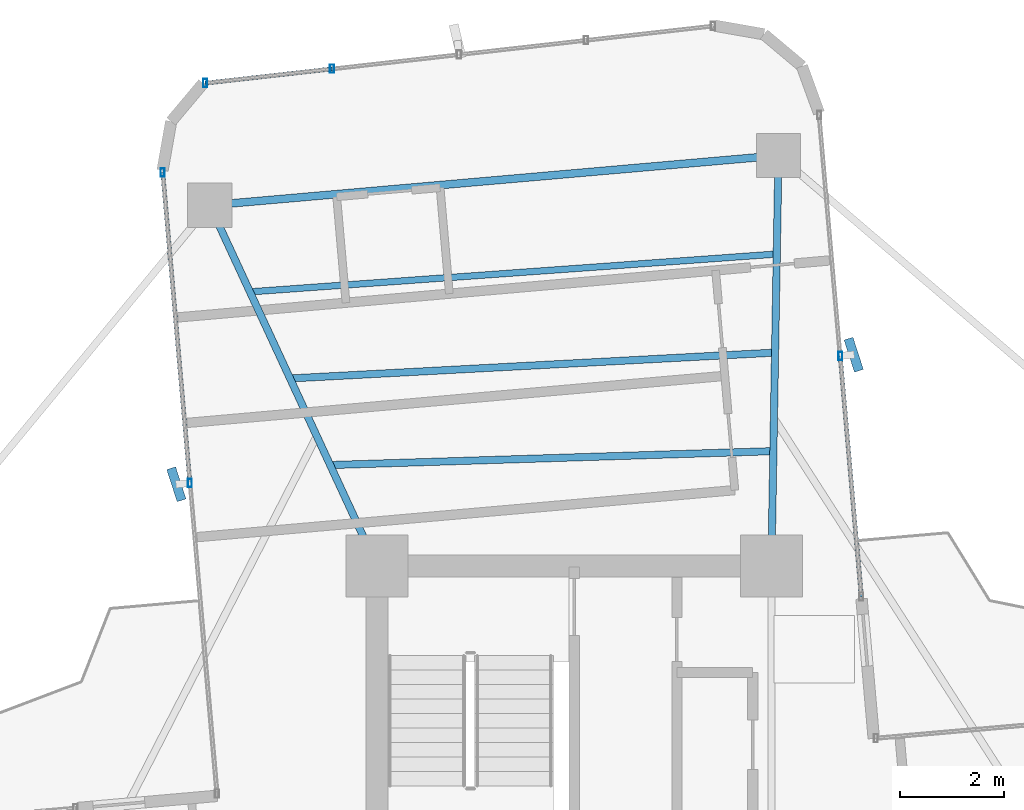
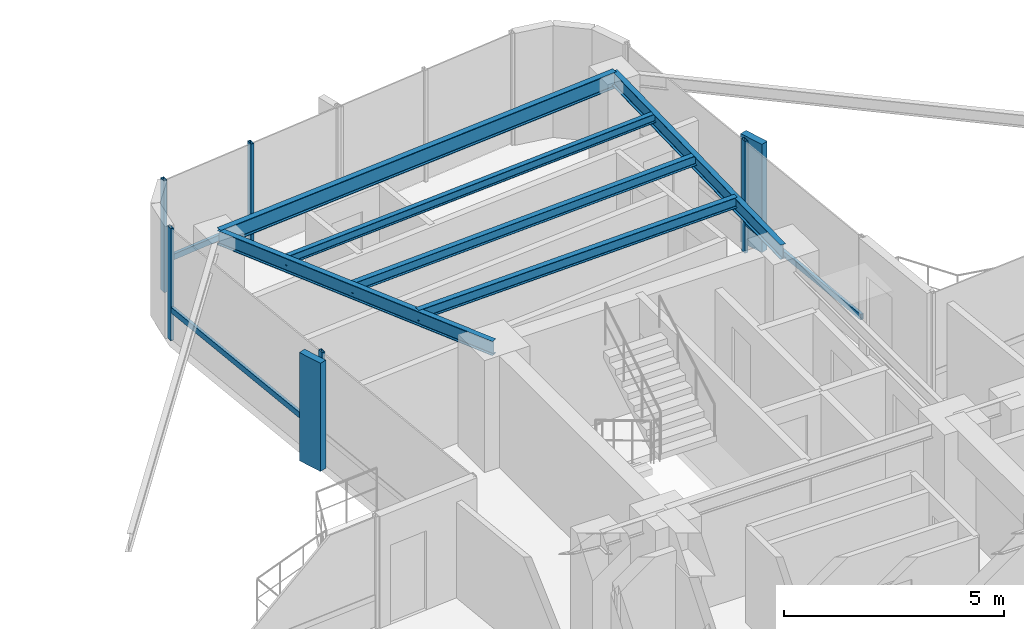
# One storey, part 16 of 24: 10 members, 6 beams, 3 elements without a shape of their own.
"""IFC4 building model written with IfcOpenShell, lengths in metres."""

from ifc_helpers import new_model, si_unit, direction, frame, origin, origin_2d, place, context, subcontext, project, spatial, rectangle, hollow_rectangle, i_section, extrude, source, transform, mapped, material, material_profile, profile_set, type_object, element, aggregate, save


model = new_model("IFC4")

# Units and contexts
model_context = context("Model", 3, precision=1e-05, world=origin(), true_north=direction((0.0, 1.0)))
body_context = subcontext(model_context, "Body", "Model", "MODEL_VIEW")
ifc_project = project(units=[si_unit("LENGTHUNIT", "METRE"), si_unit("AREAUNIT", "SQUARE_METRE"), si_unit("VOLUMEUNIT", "CUBIC_METRE"), si_unit("PLANEANGLEUNIT", "RADIAN"), si_unit("MASSUNIT", "GRAM", prefix="KILO")], contexts=[model_context])

# Site, building, storey
site_placement = place(None, origin())
site = spatial("IfcSite", under=ifc_project, at=site_placement, CompositionType="ELEMENT")
building_placement = place(site_placement, origin())
building = spatial("IfcBuilding", under=site, at=building_placement, Name="Sahyath Konkavel Grand Hotel", CompositionType="ELEMENT")
storey_placement = place(building_placement, frame((0.0, 0.0, 188.60009765625)))
storey = spatial("IfcBuildingStorey", under=building, at=storey_placement, Name="L52", CompositionType="ELEMENT", Elevation=188.60009765625)

# Beams
ifc_material_1 = material(Name="Steel E350", Category="steel")
ifc_material_profile_1 = material_profile(ifc_material_1, i_section(OverallWidth=0.139892578125, OverallDepth=0.39990234375, WebThickness=0.0087890625, FlangeThickness=0.01611328125, FilletRadius=0.013916015625, at=origin_2d()), Name="ISMB 400")
ifc_profile_set_1 = profile_set([ifc_material_profile_1], Name="Steel E350")
beam_type_1 = type_object("IfcBeamType", Name="BM-ISMB400", PredefinedType="BEAM", material=ifc_profile_set_1)
shared_shape_1 = source(origin(), body_context, "Body", "SweptSolid", [
    extrude(i_section(OverallWidth=0.139892578125, OverallDepth=0.39990234375, WebThickness=0.0087890625, FlangeThickness=0.01611328125, FilletRadius=0.013916015625, at=origin_2d()), origin(), (0.0, 0.0, 1.0), 7.913330078125),
])
beam_1_placement = place(storey_placement, frame((3.800048828125, 10.199951171875, 2.909912109375), z_axis=(0.017215419232, 0.999851803689, 0.0), x_axis=(-0.999851803689, 0.017215419232, 0.0)))
element("IfcBeam", 1, at=beam_1_placement, inside=storey, type_object=beam_type_1, Name="L52 Cruciform Radial Girder NA", PredefinedType="BEAM", context=body_context, shape_type="MappedRepresentation", body=[
    mapped(shared_shape_1, transform((0.0, 0.0, 0.0), scale=1.0)),
])
shared_shape_2 = source(origin(), body_context, "Body", "SweptSolid", [
    extrude(i_section(OverallWidth=0.139892578125, OverallDepth=0.39990234375, WebThickness=0.0087890625, FlangeThickness=0.01611328125, FilletRadius=0.013916015625, at=origin_2d()), origin(), (0.0, 0.0, 1.0), 7.66357421875),
])
beam_2_placement = place(storey_placement, frame((-3.800048828125, 10.199951171875, 2.909912109375), z_axis=(-0.420395127561, 0.907341135804, 0.0), x_axis=(-0.907341135804, -0.420395127561, 0.0)))
element("IfcBeam", 2, at=beam_2_placement, inside=storey, type_object=beam_type_1, Name="L52 Cruciform Radial Girder NB", PredefinedType="BEAM", context=body_context, shape_type="MappedRepresentation", body=[
    mapped(shared_shape_2, transform((0.0, 0.0, 0.0), scale=1.0)),
])
ifc_material_profile_2 = material_profile(ifc_material_1, i_section(OverallWidth=0.14990234375, OverallDepth=0.449951171875, WebThickness=0.009521484375, FlangeThickness=0.017333984375, FilletRadius=0.014892578125, at=origin_2d()), Name="ISMB 450")
ifc_profile_set_2 = profile_set([ifc_material_profile_2], Name="Steel E350")
beam_type_2 = type_object("IfcBeamType", Name="BM-ISMB450", PredefinedType="BEAM", material=ifc_profile_set_2)
shared_shape_3 = source(origin(), body_context, "Body", "SweptSolid", [
    extrude(i_section(OverallWidth=0.14990234375, OverallDepth=0.449951171875, WebThickness=0.009521484375, FlangeThickness=0.017333984375, FilletRadius=0.014892578125, at=origin_2d()), origin(), (0.0, 0.0, 1.0), 10.999755859375),
])
beam_3_placement = place(storey_placement, frame((3.936279296875, 18.112060546875, 2.885009765625), z_axis=(-0.99619439202, -0.087159241098, 0.0), x_axis=(0.087159241098, -0.99619439202, 0.0)))
element("IfcBeam", 3, at=beam_3_placement, inside=storey, type_object=beam_type_2, Name="L52 Wing Tip Edge Beam N", PredefinedType="BEAM", context=body_context, shape_type="MappedRepresentation", body=[
    mapped(shared_shape_3, transform((0.0, 0.0, 0.0), scale=1.0)),
])
ifc_material_profile_3 = material_profile(ifc_material_1, i_section(OverallWidth=0.139892578125, OverallDepth=0.300048828125, WebThickness=0.0078125, FlangeThickness=0.01318359375, FilletRadius=0.013916015625, at=origin_2d()), Name="ISMB 300")
ifc_profile_set_3 = profile_set([ifc_material_profile_3], Name="Steel E350")
beam_type_3 = type_object("IfcBeamType", Name="BM-ISMB300", PredefinedType="BEAM", material=ifc_profile_set_3)
shared_shape_4 = source(origin(), body_context, "Body", "SweptSolid", [
    extrude(i_section(OverallWidth=0.139892578125, OverallDepth=0.300048828125, WebThickness=0.0078125, FlangeThickness=0.01318359375, FilletRadius=0.013916015625, at=origin_2d()), origin(), (0.0, 0.0, 1.0), 8.54443359375),
])
beam_4_placement = place(storey_placement, frame((3.838134765625, 12.415283203125, 2.9599609375), z_axis=(-0.999506849365, -0.031401561632, 0.0), x_axis=(0.031401561632, -0.999506849365, 0.0)))
element("IfcBeam", 4, at=beam_4_placement, inside=storey, type_object=beam_type_3, Name="L52 Secondary Floor Beam N-1", PredefinedType="BEAM", context=body_context, shape_type="MappedRepresentation", body=[
    mapped(shared_shape_4, transform((0.0, 0.0, 0.0), scale=1.0)),
])
ifc_material_profile_4 = material_profile(ifc_material_1, i_section(OverallWidth=0.139892578125, OverallDepth=0.27490234375, WebThickness=0.00634765625, FlangeThickness=0.0087890625, FilletRadius=0.012939453125, at=origin_2d()), Name="ISLB 275")
ifc_profile_set_4 = profile_set([ifc_material_profile_4], Name="Steel E350")
beam_type_4 = type_object("IfcBeamType", Name="BM-ISLB275", PredefinedType="BEAM", material=ifc_profile_set_4)
shared_shape_5 = source(origin(), body_context, "Body", "SweptSolid", [
    extrude(i_section(OverallWidth=0.139892578125, OverallDepth=0.27490234375, WebThickness=0.00634765625, FlangeThickness=0.0087890625, FilletRadius=0.012939453125, at=origin_2d()), origin(), (0.0, 0.0, 1.0), 9.359375),
])
beam_5_placement = place(storey_placement, frame((3.870849609375, 14.314208984375, 2.972412109375), z_axis=(-0.998580397723, -0.053265272769, 0.0), x_axis=(0.053265272769, -0.998580397723, 0.0)))
element("IfcBeam", 5, at=beam_5_placement, inside=storey, type_object=beam_type_4, Name="L52 Secondary Floor Beam N-2", PredefinedType="BEAM", context=body_context, shape_type="MappedRepresentation", body=[
    mapped(shared_shape_5, transform((0.0, 0.0, 0.0), scale=1.0)),
])
ifc_material_profile_5 = material_profile(ifc_material_1, i_section(OverallWidth=0.125, OverallDepth=0.25, WebThickness=0.0068359375, FlangeThickness=0.012451171875, FilletRadius=0.012939453125, at=origin_2d()), Name="ISMB 250")
ifc_profile_set_5 = profile_set([ifc_material_profile_5], Name="Steel E350")
beam_type_5 = type_object("IfcBeamType", Name="BM-ISMB250", PredefinedType="BEAM", material=ifc_profile_set_5)
shared_shape_6 = source(origin(), body_context, "Body", "SweptSolid", [
    extrude(i_section(OverallWidth=0.125, OverallDepth=0.25, WebThickness=0.0068359375, FlangeThickness=0.012451171875, FilletRadius=0.012939453125, at=origin_2d()), origin(), (0.0, 0.0, 1.0), 10.178466796875),
])
beam_6_placement = place(storey_placement, frame((3.90380859375, 16.213134765625, 2.98486328125), z_axis=(-0.997435268886, -0.071574327683, 0.0), x_axis=(0.071574327683, -0.997435268886, 0.0)))
element("IfcBeam", 6, at=beam_6_placement, inside=storey, type_object=beam_type_5, Name="L52 Secondary Floor Beam N-3", PredefinedType="BEAM", context=body_context, shape_type="MappedRepresentation", body=[
    mapped(shared_shape_6, transform((0.0, 0.0, 0.0), scale=1.0)),
])

# Curtain wall, member
ifc_material_2 = material(Name="Anodised Bronze Aluminium & Low-E Glazing", Category="aluminium")
curtain_wall_type = type_object("IfcCurtainWallType", Name="CW-ZONE3", PredefinedType="NOTDEFINED", material=ifc_material_2)
curtain_wall_1_placement = place(storey_placement, origin())
curtain_wall_1 = element("IfcCurtainWall", 7, at=curtain_wall_1_placement, inside=storey, type_object=curtain_wall_type, Name="L52 Unitised Curtain Wall F8", PredefinedType="NOTDEFINED")
ifc_material_3 = material(Name="Anodised Bronze Aluminium", Category="aluminium")
ifc_material_profile_6 = material_profile(ifc_material_3, hollow_rectangle(XDim=0.080078125, YDim=0.159912109375, WallThickness=0.006103515625, at=origin_2d()), Name="RHS 160x80x6")
ifc_profile_set_6 = profile_set([ifc_material_profile_6], Name="Anodised Bronze Aluminium")
member_type_1 = type_object("IfcMemberType", Name="CW-MUL-160", PredefinedType="MULLION", material=ifc_profile_set_6)
shared_shape_7 = source(origin(), body_context, "Body", "SweptSolid", [
    extrude(hollow_rectangle(XDim=0.080078125, YDim=0.159912109375, WallThickness=0.006103515625, at=origin_2d()), origin(), (0.0, 0.0, 1.0), 3.10986328125),
])
member_1_placement = place(storey_placement, frame((5.12744140625, 14.251220703125, 0.0), z_axis=(0.0, 0.0, 1.0), x_axis=(1.0, 0.0, 0.0)))
member_1 = element("IfcMember", 8, at=member_1_placement, type_object=member_type_1, Name="L52 Curtain Wall Mullion F8-1", PredefinedType="MULLION", context=body_context, shape_type="MappedRepresentation", body=[
    mapped(shared_shape_7, transform((0.0, 0.0, 0.0), scale=1.0)),
])

# Curtain wall, members
curtain_wall_2_placement = place(storey_placement, origin())
curtain_wall_2 = element("IfcCurtainWall", 9, at=curtain_wall_2_placement, inside=storey, type_object=curtain_wall_type, Name="L52 Unitised Curtain Wall F12", PredefinedType="NOTDEFINED")
member_2_placement = place(storey_placement, frame((-4.665771484375, 19.783203125, 0.0), z_axis=(0.0, 0.0, 1.0), x_axis=(1.0, 0.0, 0.0)))
member_2 = element("IfcMember", 10, at=member_2_placement, type_object=member_type_1, Name="L52 Curtain Wall Mullion F12-3", PredefinedType="MULLION", context=body_context, shape_type="MappedRepresentation", body=[
    mapped(shared_shape_7, transform((0.0, 0.0, 0.0), scale=1.0)),
])
member_3_placement = place(storey_placement, frame((-7.1123046875, 19.507568359375, 0.0), z_axis=(0.0, 0.0, 1.0), x_axis=(1.0, 0.0, 0.0)))
member_3 = element("IfcMember", 11, at=member_3_placement, type_object=member_type_1, Name="L52 Curtain Wall Mullion F12-4", PredefinedType="MULLION", context=body_context, shape_type="MappedRepresentation", body=[
    mapped(shared_shape_7, transform((0.0, 0.0, 0.0), scale=1.0)),
])

curtain_wall_3_placement = place(storey_placement, origin())
curtain_wall_3 = element("IfcCurtainWall", 12, at=curtain_wall_3_placement, inside=storey, type_object=curtain_wall_type, Name="L52 Unitised Curtain Wall F15", PredefinedType="NOTDEFINED")
member_4_placement = place(storey_placement, frame((-7.930419921875, 17.78662109375, 0.0), z_axis=(0.0, 0.0, 1.0), x_axis=(1.0, 0.0, 0.0)))
member_4 = element("IfcMember", 13, at=member_4_placement, type_object=member_type_1, Name="L52 Curtain Wall Mullion F15-0", PredefinedType="MULLION", context=body_context, shape_type="MappedRepresentation", body=[
    mapped(shared_shape_7, transform((0.0, 0.0, 0.0), scale=1.0)),
])
member_5_placement = place(storey_placement, frame((-7.406494140625, 11.79931640625, 0.0), z_axis=(0.0, 0.0, 1.0), x_axis=(1.0, 0.0, 0.0)))
member_5 = element("IfcMember", 14, at=member_5_placement, type_object=member_type_1, Name="L52 Curtain Wall Mullion F15-1", PredefinedType="MULLION", context=body_context, shape_type="MappedRepresentation", body=[
    mapped(shared_shape_7, transform((0.0, 0.0, 0.0), scale=1.0)),
])

# Member
ifc_material_4 = material(Name="Warm Buff Sandstone Cladding on Concrete C50/60", Category="masonry")
ifc_material_profile_7 = material_profile(ifc_material_4, rectangle(XDim=0.179931640625, YDim=0.64990234375, at=origin_2d()), Name="FIN 180x650")
ifc_profile_set_7 = profile_set([ifc_material_profile_7], Name="Warm Buff Sandstone Cladding on Concrete C50/60")
member_type_2 = type_object("IfcMemberType", Name="FIN-SANDSTONE-650", PredefinedType="MULLION", material=ifc_profile_set_7)
shared_shape_8 = source(origin(), body_context, "Body", "SweptSolid", [
    extrude(rectangle(XDim=0.179931640625, YDim=0.64990234375, at=origin_2d()), origin(), (0.0, 0.0, 1.0), 3.010009765625),
])
member_6_placement = place(storey_placement, frame((5.386474609375, 14.273681640625, 0.0498046875), z_axis=(0.0, 0.0, 1.0), x_axis=(0.951164325631, 0.308684994204, 0.0)))
member_6 = element("IfcMember", 15, at=member_6_placement, type_object=member_type_2, Name="L52 Sandstone Vertical Solar Fin FIN F8-1", PredefinedType="MULLION", context=body_context, shape_type="MappedRepresentation", body=[
    mapped(shared_shape_8, transform((0.0, 0.0, 0.0), scale=1.0)),
])

member_7_placement = place(storey_placement, frame((-7.66552734375, 11.776611328125, 0.0498046875), z_axis=(0.0, 0.0, 1.0), x_axis=(0.951164325631, 0.308684994204, 0.0)))
member_7 = element("IfcMember", 16, at=member_7_placement, type_object=member_type_2, Name="L52 Sandstone Vertical Solar Fin FIN F15-1", PredefinedType="MULLION", context=body_context, shape_type="MappedRepresentation", body=[
    mapped(shared_shape_8, transform((0.0, 0.0, 0.0), scale=1.0)),
])

ifc_material_profile_8 = material_profile(ifc_material_3, hollow_rectangle(XDim=0.080078125, YDim=0.159912109375, WallThickness=0.006103515625, at=origin_2d()), Name="RHS 160x80x6")
ifc_profile_set_8 = profile_set([ifc_material_profile_8], Name="Anodised Bronze Aluminium")
member_type_3 = type_object("IfcMemberType", Name="CW-TRN-160", PredefinedType="USERDEFINED", material=ifc_profile_set_8)
shared_shape_9 = source(origin(), body_context, "Body", "SweptSolid", [
    extrude(hollow_rectangle(XDim=0.080078125, YDim=0.159912109375, WallThickness=0.006103515625, at=origin_2d()), origin(), (0.0, 0.0, 1.0), 4.66015625),
])
member_8_placement = place(storey_placement, frame((5.53369140625, 9.60888671875, 0.849853515625), z_axis=(-0.087176698736, 0.996192864458, 0.0), x_axis=(-0.996192864458, -0.087176698736, 0.0)))
member_8 = element("IfcMember", 17, at=member_8_placement, type_object=member_type_3, Name="L52 Curtain Wall Transom F8-0-spandrel", ObjectType="TRANSOM", PredefinedType="USERDEFINED", context=body_context, shape_type="MappedRepresentation", body=[
    mapped(shared_shape_9, transform((0.0, 0.0, 0.0), scale=1.0)),
])

aggregate(curtain_wall_1, [member_1, member_6, member_8])

shared_shape_10 = source(origin(), body_context, "Body", "SweptSolid", [
    extrude(hollow_rectangle(XDim=0.080078125, YDim=0.159912109375, WallThickness=0.006103515625, at=origin_2d()), origin(), (0.0, 0.0, 1.0), 2.4619140625),
])
member_9_placement = place(storey_placement, frame((-4.665771484375, 19.783203125, 0.849853515625), z_axis=(-0.993713263833, -0.111955121731, 0.0), x_axis=(0.111955121731, -0.993713263833, 0.0)))
member_9 = element("IfcMember", 18, at=member_9_placement, type_object=member_type_3, Name="L52 Curtain Wall Transom F12-3-spandrel", ObjectType="TRANSOM", PredefinedType="USERDEFINED", context=body_context, shape_type="MappedRepresentation", body=[
    mapped(shared_shape_10, transform((0.0, 0.0, 0.0), scale=1.0)),
])

aggregate(curtain_wall_2, [member_2, member_3, member_9])

shared_shape_11 = source(origin(), body_context, "Body", "SweptSolid", [
    extrude(hollow_rectangle(XDim=0.080078125, YDim=0.159912109375, WallThickness=0.006103515625, at=origin_2d()), origin(), (0.0, 0.0, 1.0), 6.01025390625),
])
member_10_placement = place(storey_placement, frame((-7.930419921875, 17.78662109375, 0.849853515625), z_axis=(0.087172997156, -0.996193188376, 0.0), x_axis=(0.996193188376, 0.087172997156, 0.0)))
member_10 = element("IfcMember", 19, at=member_10_placement, type_object=member_type_3, Name="L52 Curtain Wall Transom F15-0-spandrel", ObjectType="TRANSOM", PredefinedType="USERDEFINED", context=body_context, shape_type="MappedRepresentation", body=[
    mapped(shared_shape_11, transform((0.0, 0.0, 0.0), scale=1.0)),
])

aggregate(curtain_wall_3, [member_4, member_5, member_7, member_10])

save(model, "model.ifc")
